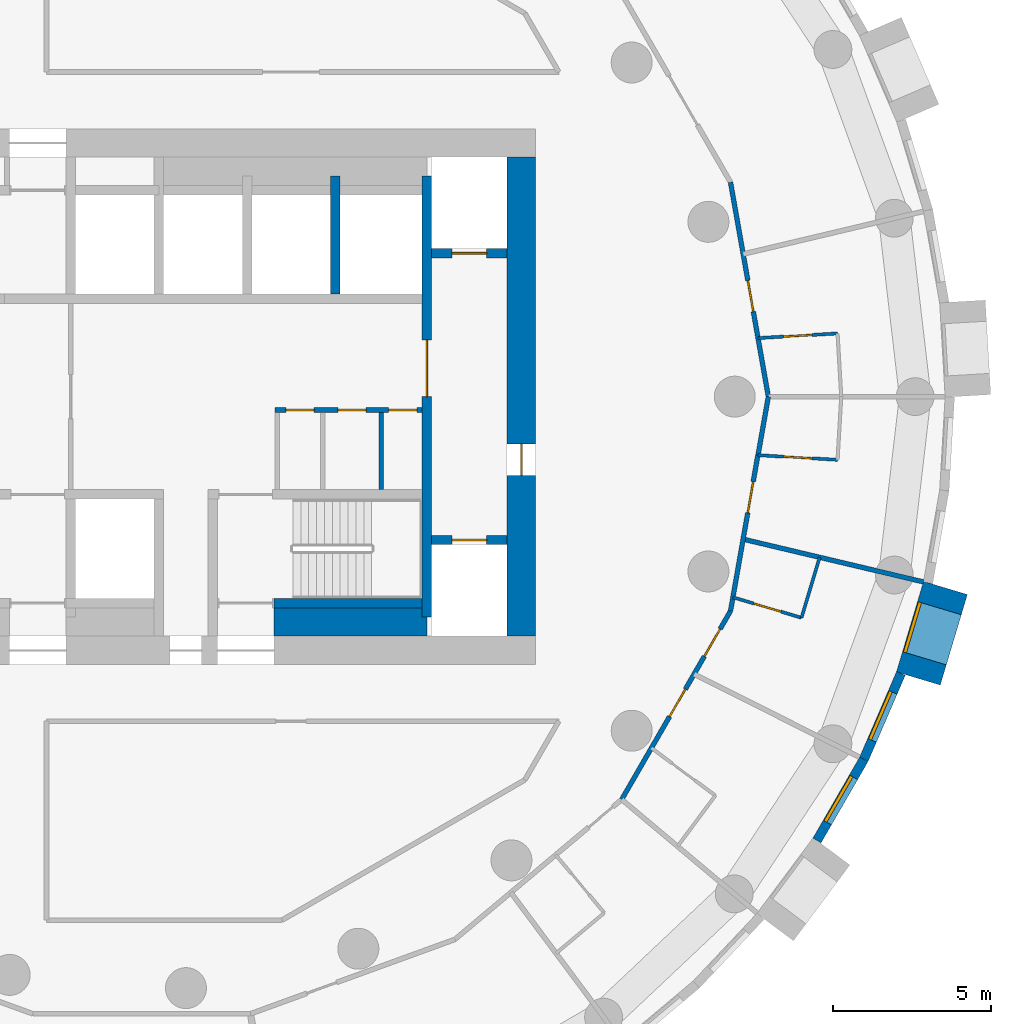
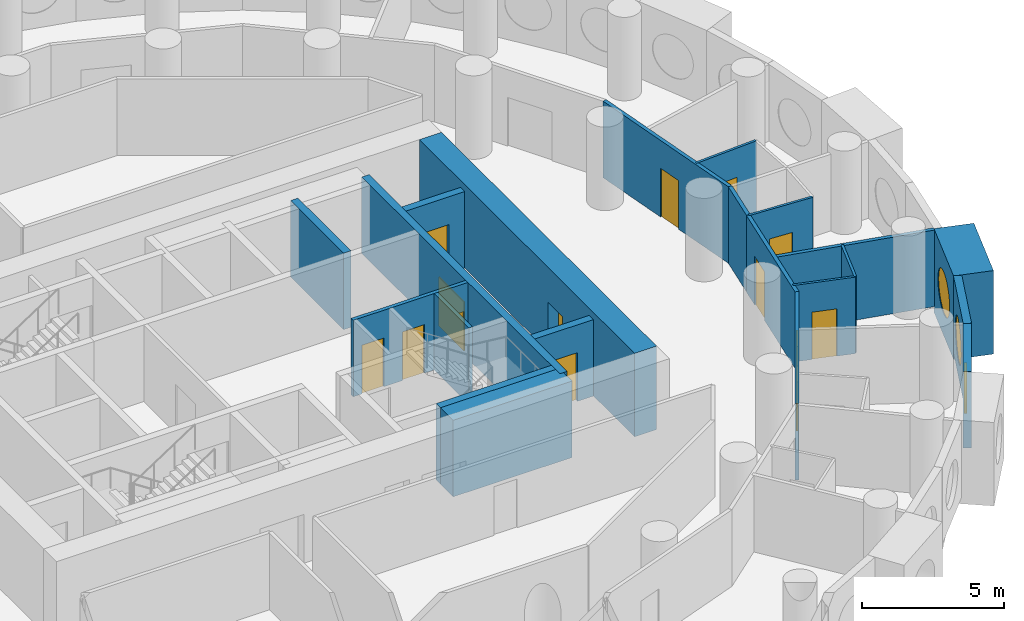
# One storey, part 5 of 9: 21 walls, 14 doors, 3 windows, 17 openings.
"""IFC4 building model written with IfcOpenShell, lengths in metres."""

from ifc_helpers import new_model, si_unit, direction, frame, frame_2d, origin, origin_2d, place, context, subcontext, project, spatial, rectangle, circle, extrude, material, layer, layer_set, type_object, element, fill, save


model = new_model("IFC4")

# Units and contexts
model_context = context("Model", 3, precision=1e-05, world=origin(), true_north=direction((0.0, 1.0)))
body_context = subcontext(model_context, "Body", "Model", "MODEL_VIEW")
ifc_project = project(units=[si_unit("LENGTHUNIT", "METRE"), si_unit("AREAUNIT", "SQUARE_METRE"), si_unit("VOLUMEUNIT", "CUBIC_METRE"), si_unit("PLANEANGLEUNIT", "RADIAN"), si_unit("MASSUNIT", "GRAM", prefix="KILO")], contexts=[model_context])

# Site, building, storey
site_placement = place(None, origin())
site = spatial("IfcSite", under=ifc_project, at=site_placement, CompositionType="ELEMENT")
building_placement = place(site_placement, origin())
building = spatial("IfcBuilding", under=site, at=building_placement, Name="Tracery Tower", CompositionType="ELEMENT")
storey_placement = place(building_placement, frame((0.0, 0.0, 198.0)))
storey = spatial("IfcBuildingStorey", under=building, at=storey_placement, Name="L51", CompositionType="ELEMENT", Elevation=198.0)

# Wall, openings, doors
ifc_material_1 = material(Name="Plasterboard on steel studs", Category="steel")
ifc_layer_1 = layer(ifc_material_1, 0.14990234375)
ifc_layer_set_1 = layer_set([ifc_layer_1], Name="Core room partition 150")
wall_type_1 = type_object("IfcWallType", Name="Core room partition 150", PredefinedType="SOLIDWALL", material=ifc_layer_set_1)
wall_1_placement = place(storey_placement, frame((4.22509765625, -0.425048828125, 0.0), z_axis=(0.0, 0.0, 1.0), x_axis=(1.0, 0.0, 0.0)))
wall_1 = element("IfcWall", 1, at=wall_1_placement, inside=storey, type_object=wall_type_1, Name="L51 slot N", PredefinedType="SOLIDWALL", context=body_context, shape_type="SweptSolid", body=[
    extrude(rectangle(XDim=4.6748046875, YDim=0.14990234375, at=frame_2d((2.33740234375, 0.0))), origin(), (0.0, 0.0, 1.0), 3.300048828125),
])
opening_1_placement = place(wall_1_placement, frame((0.35009765625, 0.0, 0.0)))
opening_1 = element("IfcOpeningElement", 2, at=opening_1_placement, cuts=wall_1, Name="Opening KD27", PredefinedType="OPENING", context=body_context, shape_type="SweptSolid", body=[
    extrude(rectangle(XDim=0.89990234375, YDim=2.10009765625, at=frame_2d((0.449951171875, 1.050048828125))), frame((0.0, 0.074951171875, 0.0), z_axis=(0.0, -1.0, 0.0), x_axis=(1.0, 0.0, 0.0)), (0.0, 0.0, 1.0), 0.14990234375),
])
opening_2_placement = place(wall_1_placement, frame((2.0, 0.0, 0.0)))
opening_2 = element("IfcOpeningElement", 3, at=opening_2_placement, cuts=wall_1, Name="Opening KD21", PredefinedType="OPENING", context=body_context, shape_type="SweptSolid", body=[
    extrude(rectangle(XDim=0.89990234375, YDim=2.10009765625, at=frame_2d((0.449951171875, 1.050048828125))), frame((0.0, 0.074951171875, 0.0), z_axis=(0.0, -1.0, 0.0), x_axis=(1.0, 0.0, 0.0)), (0.0, 0.0, 1.0), 0.14990234375),
])
opening_3_placement = place(wall_1_placement, frame((3.612548828125, 0.0, 0.0)))
opening_3 = element("IfcOpeningElement", 4, at=opening_3_placement, cuts=wall_1, Name="Opening KD32", PredefinedType="OPENING", context=body_context, shape_type="SweptSolid", body=[
    extrude(rectangle(XDim=0.89990234375, YDim=2.10009765625, at=frame_2d((0.449951171875, 1.050048828125))), frame((0.0, 0.074951171875, 0.0), z_axis=(0.0, -1.0, 0.0), x_axis=(1.0, 0.0, 0.0)), (0.0, 0.0, 1.0), 0.14990234375),
])
ifc_material_2 = material(Name="Timber door leaf", Category="wood")
door_type_1 = type_object("IfcDoorType", Name="Core WC door 900", OperationType="NOTDEFINED", PredefinedType="DOOR", material=ifc_material_2)
door_1_placement = place(opening_2_placement, origin())
door_1 = element("IfcDoor", 5, at=door_1_placement, inside=storey, type_object=door_type_1, Name="Core door", OperationType="SINGLE_SWING_LEFT", OverallHeight=2.10009765625, OverallWidth=0.89990234375, PredefinedType="DOOR", context=body_context, shape_type="SweptSolid", body=[
    extrude(rectangle(XDim=0.89990234375, YDim=2.10009765625, at=frame_2d((0.449951171875, 1.050048828125))), frame((0.0, 0.02490234375, 0.0), z_axis=(0.0, -1.0, 0.0), x_axis=(1.0, 0.0, 0.0)), (0.0, 0.0, 1.0), 0.050048828125),
])
fill(opening_2, door_1)
ifc_material_3 = material(Name="Steel fire door", Category="steel")
door_type_2 = type_object("IfcDoorType", Name="Core riser door 900", OperationType="NOTDEFINED", PredefinedType="DOOR", material=ifc_material_3)
door_2_placement = place(opening_3_placement, origin())
door_2 = element("IfcDoor", 6, at=door_2_placement, inside=storey, type_object=door_type_2, Name="Core door", OperationType="SINGLE_SWING_RIGHT", OverallHeight=2.10009765625, OverallWidth=0.89990234375, PredefinedType="DOOR", context=body_context, shape_type="SweptSolid", body=[
    extrude(rectangle(XDim=0.89990234375, YDim=2.10009765625, at=frame_2d((0.449951171875, 1.050048828125))), frame((0.0, 0.02490234375, 0.0), z_axis=(0.0, -1.0, 0.0), x_axis=(1.0, 0.0, 0.0)), (0.0, 0.0, 1.0), 0.050048828125),
])
fill(opening_3, door_2)
ifc_material_4 = material(Name="Timber door leaf", Category="wood")
door_type_3 = type_object("IfcDoorType", Name="Core store door 900", OperationType="NOTDEFINED", PredefinedType="DOOR", material=ifc_material_4)
door_3_placement = place(opening_1_placement, origin())
door_3 = element("IfcDoor", 7, at=door_3_placement, inside=storey, type_object=door_type_3, Name="Core door", OperationType="SINGLE_SWING_RIGHT", OverallHeight=2.10009765625, OverallWidth=0.89990234375, PredefinedType="DOOR", context=body_context, shape_type="SweptSolid", body=[
    extrude(rectangle(XDim=0.89990234375, YDim=2.10009765625, at=frame_2d((0.449951171875, 1.050048828125))), frame((0.0, 0.02490234375, 0.0), z_axis=(0.0, -1.0, 0.0), x_axis=(1.0, 0.0, 0.0)), (0.0, 0.0, 1.0), 0.050048828125),
])
fill(opening_1, door_3)

# Walls
wall_2_placement = place(storey_placement, frame((7.60009765625, -2.949951171875, 0.0), z_axis=(0.0, 0.0, 1.0), x_axis=(0.0, 1.0, 0.0)))
element("IfcWall", 8, at=wall_2_placement, inside=storey, type_object=wall_type_1, Name="L51 slot sep 2", PredefinedType="SOLIDWALL", context=body_context, shape_type="SweptSolid", body=[
    extrude(rectangle(XDim=2.449951171875, YDim=0.14990234375, at=frame_2d((1.22509765625, 0.0))), origin(), (0.0, 0.0, 1.0), 3.300048828125),
])
ifc_material_5 = material(Name="Concrete C50/60", Category="concrete")
ifc_layer_2 = layer(ifc_material_5, 0.89990234375)
ifc_layer_set_2 = layer_set([ifc_layer_2], Name="Core strip wall 900 C50")
wall_type_2 = type_object("IfcWallType", Name="Core strip wall 900 C50", PredefinedType="SOLIDWALL", material=ifc_layer_set_2)
wall_3_placement = place(storey_placement, frame((4.199951171875, -7.14990234375, 0.0), z_axis=(0.0, 0.0, 1.0), x_axis=(1.0, 0.0, 0.0)))
element("IfcWall", 9, at=wall_3_placement, inside=storey, type_object=wall_type_2, Name="L51 F thick S E", PredefinedType="SOLIDWALL", context=body_context, shape_type="SweptSolid", body=[
    extrude(rectangle(XDim=4.85009765625, YDim=0.89990234375, at=frame_2d((2.425048828125, 0.0))), origin(), (0.0, 0.0, 1.0), 3.300048828125),
])

# Wall, opening, door
ifc_material_6 = material(Name="Concrete C50/60", Category="concrete")
ifc_layer_3 = layer(ifc_material_6, 0.89990234375)
ifc_layer_set_3 = layer_set([ifc_layer_3], Name="Core wall 900 C50")
wall_type_3 = type_object("IfcWallType", Name="Core wall 900 C50", PredefinedType="SOLIDWALL", material=ifc_layer_set_3)
wall_4_placement = place(storey_placement, frame((12.050048828125, -7.60009765625, 0.0), z_axis=(0.0, 0.0, 1.0), x_axis=(0.0, 1.0, 0.0)))
wall_4 = element("IfcWall", 10, at=wall_4_placement, inside=storey, type_object=wall_type_3, Name="L51 outer E", PredefinedType="SOLIDWALL", context=body_context, shape_type="SweptSolid", body=[
    extrude(rectangle(XDim=15.2001953125, YDim=0.89990234375, at=frame_2d((7.60009765625, 0.0))), origin(), (0.0, 0.0, 1.0), 3.60009765625),
])
opening_4_placement = place(wall_4_placement, frame((5.10009765625, 0.0, 0.0)))
opening_4 = element("IfcOpeningElement", 11, at=opening_4_placement, cuts=wall_4, Name="Opening KD18", PredefinedType="OPENING", context=body_context, shape_type="SweptSolid", body=[
    extrude(rectangle(XDim=1.0, YDim=2.10009765625, at=frame_2d((0.5, 1.050048828125))), frame((0.0, 0.449951171875, 0.0), z_axis=(0.0, -1.0, 0.0), x_axis=(1.0, 0.0, 0.0)), (0.0, 0.0, 1.0), 0.89990234375),
])
ifc_material_7 = material(Name="Steel fire door", Category="steel")
door_type_4 = type_object("IfcDoorType", Name="Core exit door 1000", OperationType="NOTDEFINED", PredefinedType="DOOR", material=ifc_material_7)
door_4_placement = place(opening_4_placement, origin())
door_4 = element("IfcDoor", 12, at=door_4_placement, inside=storey, type_object=door_type_4, Name="Core exit door", OperationType="DOUBLE_DOOR_SINGLE_SWING", OverallHeight=2.10009765625, OverallWidth=1.0, PredefinedType="DOOR", context=body_context, shape_type="SweptSolid", body=[
    extrude(rectangle(XDim=1.0, YDim=2.10009765625, at=frame_2d((0.5, 1.050048828125))), frame((0.0, 0.02490234375, 0.0), z_axis=(0.0, -1.0, 0.0), x_axis=(1.0, 0.0, 0.0)), (0.0, 0.0, 1.0), 0.050048828125),
])
fill(opening_4, door_4)

# Wall, opening, window
ifc_material_8 = material(Name="Precast concrete C50/60", Category="concrete")
ifc_layer_4 = layer(ifc_material_8, 1.449951171875)
ifc_layer_set_4 = layer_set([ifc_layer_4], Name="Deep-set bay unit 3000 x 3600, slab edge 300")
wall_type_4 = type_object("IfcWallType", Name="Deep-set bay unit 3000 x 3600, slab edge 300", PredefinedType="ELEMENTEDWALL", material=ifc_layer_set_4)
wall_5_placement = place(storey_placement, frame((24.649169921875, -8.9453125, -0.300048828125), z_axis=(0.0, 0.0, 1.0), x_axis=(0.286780420304, 0.957996341606, 0.0)))
wall_5 = element("IfcWall", 13, at=wall_5_placement, inside=storey, type_object=wall_type_4, Name="Deep-set bay unit 52 at L51", PredefinedType="ELEMENTEDWALL", context=body_context, shape_type="SweptSolid", body=[
    extrude(rectangle(XDim=3.0, YDim=1.449951171875, at=frame_2d((1.5, 0.0))), origin(), (0.0, 0.0, 1.0), 3.60009765625),
])
opening_5_placement = place(wall_5_placement, frame((1.5, 0.0, 1.85009765625)))
opening_5 = element("IfcOpeningElement", 14, at=opening_5_placement, cuts=wall_5, Name="Opening WN1", PredefinedType="OPENING", context=body_context, shape_type="SweptSolid", body=[
    extrude(circle(Radius=0.9000244140625, at=origin_2d()), frame((0.0, 0.73486328125, 0.0), z_axis=(0.0, -1.0, 0.0), x_axis=(1.0, 0.0, 0.0)), (0.0, 0.0, 1.0), 1.469970703125),
])
ifc_material_9 = material(Name="Aluminium frame with tinted double glazing", Category="aluminium")
window_type = type_object("IfcWindowType", Name="Round window 1800", PartitioningType="SINGLE_PANEL", PredefinedType="WINDOW", material=ifc_material_9)
window_1_placement = place(opening_5_placement, origin())
window_1 = element("IfcWindow", 15, at=window_1_placement, inside=storey, type_object=window_type, Name="Round window 52 at L51", OverallHeight=1.800048828125, OverallWidth=1.800048828125, PartitioningType="SINGLE_PANEL", PredefinedType="WINDOW", context=body_context, shape_type="SweptSolid", body=[
    extrude(circle(Radius=0.9000244140625, at=origin_2d()), frame((0.0, 0.69482421875, 0.0), z_axis=(0.0, -1.0, 0.0), x_axis=(1.0, 0.0, 0.0)), (0.0, 0.0, 1.0), 0.10009765625),
])
fill(opening_5, window_1)

ifc_material_10 = material(Name="Precast concrete C50/60", Category="concrete")
ifc_layer_5 = layer(ifc_material_10, 0.300048828125)
ifc_layer_set_5 = layer_set([ifc_layer_5], Name="Facade panel 3000 x 3300")
wall_type_5 = type_object("IfcWallType", Name="Facade panel 3000 x 3300", PredefinedType="SOLIDWALL", material=ifc_layer_set_5)
wall_6_placement = place(storey_placement, frame((21.432861328125, -14.085205078125, 0.0), z_axis=(0.0, 0.0, 1.0), x_axis=(0.500016263033, 0.866016014115, 0.0)))
wall_6 = element("IfcWall", 16, at=wall_6_placement, inside=storey, type_object=wall_type_5, Name="Facade panel 50 at L51", PredefinedType="SOLIDWALL", context=body_context, shape_type="SweptSolid", body=[
    extrude(rectangle(XDim=2.97314453125, YDim=0.300048828125, at=frame_2d((1.486572265625, 0.0))), origin(), (0.0, 0.0, 1.0), 3.300048828125),
])
opening_6_placement = place(wall_6_placement, frame((1.486328125, 0.0, 1.5498046875)))
opening_6 = element("IfcOpeningElement", 17, at=opening_6_placement, cuts=wall_6, Name="Opening WN1", PredefinedType="OPENING", context=body_context, shape_type="SweptSolid", body=[
    extrude(circle(Radius=0.9000244140625, at=origin_2d()), frame((0.0, 0.159912109375, 0.0), z_axis=(0.0, -1.0, 0.0), x_axis=(1.0, 0.0, 0.0)), (0.0, 0.0, 1.0), 0.320068359375),
])
window_2_placement = place(opening_6_placement, origin())
window_2 = element("IfcWindow", 18, at=window_2_placement, inside=storey, type_object=window_type, Name="Round window 50 at L51", OverallHeight=1.800048828125, OverallWidth=1.800048828125, PartitioningType="SINGLE_PANEL", PredefinedType="WINDOW", context=body_context, shape_type="SweptSolid", body=[
    extrude(circle(Radius=0.9000244140625, at=origin_2d()), frame((0.0, 0.1201171875, 0.0), z_axis=(0.0, -1.0, 0.0), x_axis=(1.0, 0.0, 0.0)), (0.0, 0.0, 1.0), 0.10009765625),
])
fill(opening_6, window_2)

wall_7_placement = place(storey_placement, frame((22.91943359375, -11.510498046875, 0.0), z_axis=(0.0, 0.0, 1.0), x_axis=(0.396078892785, 0.918216483565, 0.0)))
wall_7 = element("IfcWall", 19, at=wall_7_placement, inside=storey, type_object=wall_type_5, Name="Facade panel 51 at L51", PredefinedType="SOLIDWALL", context=body_context, shape_type="SweptSolid", body=[
    extrude(rectangle(XDim=2.972900390625, YDim=0.300048828125, at=frame_2d((1.486328125, 0.0))), origin(), (0.0, 0.0, 1.0), 3.300048828125),
])
opening_7_placement = place(wall_7_placement, frame((1.486328125, 0.0, 1.5498046875)))
opening_7 = element("IfcOpeningElement", 20, at=opening_7_placement, cuts=wall_7, Name="Opening WN1", PredefinedType="OPENING", context=body_context, shape_type="SweptSolid", body=[
    extrude(circle(Radius=0.9000244140625, at=origin_2d()), frame((0.0, 0.159912109375, 0.0), z_axis=(0.0, -1.0, 0.0), x_axis=(1.0, 0.0, 0.0)), (0.0, 0.0, 1.0), 0.320068359375),
])
window_3_placement = place(opening_7_placement, origin())
window_3 = element("IfcWindow", 21, at=window_3_placement, inside=storey, type_object=window_type, Name="Round window 51 at L51", OverallHeight=1.800048828125, OverallWidth=1.800048828125, PartitioningType="SINGLE_PANEL", PredefinedType="WINDOW", context=body_context, shape_type="SweptSolid", body=[
    extrude(circle(Radius=0.9000244140625, at=origin_2d()), frame((0.0, 0.1201171875, 0.0), z_axis=(0.0, -1.0, 0.0), x_axis=(1.0, 0.0, 0.0)), (0.0, 0.0, 1.0), 0.10009765625),
])
fill(opening_7, window_3)

# Wall, opening, door
ifc_material_11 = material(Name="Plasterboard on steel studs", Category="steel")
ifc_layer_6 = layer(ifc_material_11, 0.10009765625)
ifc_layer_set_6 = layer_set([ifc_layer_6], Name="Partition 100 wet wall")
wall_type_6 = type_object("IfcWallType", Name="Partition 100 wet wall", PredefinedType="PARTITIONING", material=ifc_layer_set_6)
wall_8_placement = place(storey_placement, frame((19.56005859375, 1.85791015625, 0.0), z_axis=(0.0, 0.0, 1.0), x_axis=(0.998308830473, 0.05813328651, 0.0)))
wall_8 = element("IfcWall", 22, at=wall_8_placement, inside=storey, type_object=wall_type_6, Name="Wet wall RB7-041", PredefinedType="PARTITIONING", context=body_context, shape_type="SweptSolid", body=[
    extrude(rectangle(XDim=2.5283203125, YDim=0.10009765625, at=frame_2d((1.26416015625, 0.0))), origin(), (0.0, 0.0, 1.0), 3.300048828125),
])
opening_8_placement = place(wall_8_placement, frame((0.814208984375, 0.0, 0.0)))
opening_8 = element("IfcOpeningElement", 23, at=opening_8_placement, cuts=wall_8, Name="Opening RB7-05", PredefinedType="OPENING", context=body_context, shape_type="SweptSolid", body=[
    extrude(rectangle(XDim=0.89990234375, YDim=2.0400390625, at=frame_2d((0.449951171875, 1.02001953125))), frame((0.0, 0.050048828125, 0.0), z_axis=(0.0, -1.0, 0.0), x_axis=(1.0, 0.0, 0.0)), (0.0, 0.0, 1.0), 0.10009765625),
])
ifc_material_12 = material(Name="Timber door leaf", Category="wood")
door_type_5 = type_object("IfcDoorType", Name="Door en-suite 900", OperationType="NOTDEFINED", PredefinedType="DOOR", material=ifc_material_12)
door_5_placement = place(opening_8_placement, origin())
door_5 = element("IfcDoor", 24, at=door_5_placement, inside=storey, type_object=door_type_5, Name="En-suite door RB7-05", OperationType="SINGLE_SWING_LEFT", OverallHeight=2.0400390625, OverallWidth=0.89990234375, PredefinedType="DOOR", context=body_context, shape_type="SweptSolid", body=[
    extrude(rectangle(XDim=0.89990234375, YDim=2.0400390625, at=frame_2d((0.449951171875, 1.02001953125))), frame((0.0, 0.02490234375, 0.0), z_axis=(0.0, -1.0, 0.0), x_axis=(1.0, 0.0, 0.0)), (0.0, 0.0, 1.0), 0.050048828125),
])
fill(opening_8, door_5)

wall_9_placement = place(storey_placement, frame((18.764892578125, -6.366943359375, 0.0), z_axis=(0.0, 0.0, 1.0), x_axis=(0.958030169919, -0.286667391807, 0.0)))
wall_9 = element("IfcWall", 25, at=wall_9_placement, inside=storey, type_object=wall_type_6, Name="Wet wall RB7-064", PredefinedType="PARTITIONING", context=body_context, shape_type="SweptSolid", body=[
    extrude(rectangle(XDim=2.271240234375, YDim=0.10009765625, at=frame_2d((1.1357421875, 0.0))), origin(), (0.0, 0.0, 1.0), 3.300048828125),
])
opening_9_placement = place(wall_9_placement, frame((0.68603515625, 0.0, 0.0)))
opening_9 = element("IfcOpeningElement", 26, at=opening_9_placement, cuts=wall_9, Name="Opening RB7-23", PredefinedType="OPENING", context=body_context, shape_type="SweptSolid", body=[
    extrude(rectangle(XDim=0.89990234375, YDim=2.0400390625, at=frame_2d((0.449951171875, 1.02001953125))), frame((0.0, 0.050048828125, 0.0), z_axis=(0.0, -1.0, 0.0), x_axis=(1.0, 0.0, 0.0)), (0.0, 0.0, 1.0), 0.10009765625),
])
door_6_placement = place(opening_9_placement, origin())
door_6 = element("IfcDoor", 27, at=door_6_placement, inside=storey, type_object=door_type_5, Name="En-suite door RB7-23", OperationType="SINGLE_SWING_RIGHT", OverallHeight=2.0400390625, OverallWidth=0.89990234375, PredefinedType="DOOR", context=body_context, shape_type="SweptSolid", body=[
    extrude(rectangle(XDim=0.89990234375, YDim=2.0400390625, at=frame_2d((0.449951171875, 1.02001953125))), frame((0.0, 0.02490234375, 0.0), z_axis=(0.0, -1.0, 0.0), x_axis=(1.0, 0.0, 0.0)), (0.0, 0.0, 1.0), 0.050048828125),
])
fill(opening_9, door_6)

# Wall
wall_10_placement = place(storey_placement, frame((20.94091796875, -7.01806640625, 0.0), z_axis=(0.0, 0.0, 1.0), x_axis=(0.287124264191, 0.957893343182, 0.0)))
element("IfcWall", 28, at=wall_10_placement, inside=storey, type_object=wall_type_6, Name="Wet wall RB7-065", PredefinedType="PARTITIONING", context=body_context, shape_type="SweptSolid", body=[
    extrude(rectangle(XDim=2.00341796875, YDim=0.10009765625, at=frame_2d((1.001708984375, 0.0))), origin(), (0.0, 0.0, 1.0), 3.300048828125),
])

# Wall, opening, door
wall_11_placement = place(storey_placement, frame((19.56005859375, -1.85791015625, 0.0), z_axis=(0.0, 0.0, 1.0), x_axis=(0.998308830473, -0.05813328651, 0.0)))
wall_11 = element("IfcWall", 29, at=wall_11_placement, inside=storey, type_object=wall_type_6, Name="Wet wall RB7-067", PredefinedType="PARTITIONING", context=body_context, shape_type="SweptSolid", body=[
    extrude(rectangle(XDim=2.5283203125, YDim=0.10009765625, at=frame_2d((1.26416015625, 0.0))), origin(), (0.0, 0.0, 1.0), 3.300048828125),
])
opening_10_placement = place(wall_11_placement, frame((0.81396484375, 0.0, 0.0)))
opening_10 = element("IfcOpeningElement", 30, at=opening_10_placement, cuts=wall_11, Name="Opening RB7-25", PredefinedType="OPENING", context=body_context, shape_type="SweptSolid", body=[
    extrude(rectangle(XDim=0.89990234375, YDim=2.0400390625, at=frame_2d((0.449951171875, 1.02001953125))), frame((0.0, 0.050048828125, 0.0), z_axis=(0.0, -1.0, 0.0), x_axis=(1.0, 0.0, 0.0)), (0.0, 0.0, 1.0), 0.10009765625),
])
door_7_placement = place(opening_10_placement, origin())
door_7 = element("IfcDoor", 31, at=door_7_placement, inside=storey, type_object=door_type_5, Name="En-suite door RB7-25", OperationType="SINGLE_SWING_LEFT", OverallHeight=2.0400390625, OverallWidth=0.89990234375, PredefinedType="DOOR", context=body_context, shape_type="SweptSolid", body=[
    extrude(rectangle(XDim=0.89990234375, YDim=2.0400390625, at=frame_2d((0.449951171875, 1.02001953125))), frame((0.0, 0.02490234375, 0.0), z_axis=(0.0, -1.0, 0.0), x_axis=(1.0, 0.0, 0.0)), (0.0, 0.0, 1.0), 0.050048828125),
])
fill(opening_10, door_7)

# Wall
ifc_material_13 = material(Name="Plasterboard on steel studs", Category="steel")
ifc_layer_7 = layer(ifc_material_13, 0.14990234375)
ifc_layer_set_7 = layer_set([ifc_layer_7], Name="Partition 150 acoustic unit wall")
wall_type_7 = type_object("IfcWallType", Name="Partition 150 acoustic unit wall", PredefinedType="PARTITIONING", material=ifc_layer_set_7)
wall_12_placement = place(storey_placement, frame((19.090087890625, -4.523681640625, 0.0), z_axis=(0.0, 0.0, 1.0), x_axis=(0.973024130834, -0.230703361082, 0.0)))
element("IfcWall", 32, at=wall_12_placement, inside=storey, type_object=wall_type_7, Name="Unit wall RB7-066", PredefinedType="PARTITIONING", context=body_context, shape_type="SweptSolid", body=[
    extrude(rectangle(XDim=5.878662109375, YDim=0.14990234375, at=frame_2d((2.939453125, 0.0))), origin(), (0.0, 0.0, 1.0), 3.300048828125),
])

# Wall, opening, door
ifc_material_14 = material(Name="Plasterboard on steel studs", Category="steel")
ifc_layer_8 = layer(ifc_material_14, 0.14990234375)
ifc_layer_set_8 = layer_set([ifc_layer_8], Name="Partition 150 corridor wall")
wall_type_8 = type_object("IfcWallType", Name="Partition 150 corridor wall", PredefinedType="PARTITIONING", material=ifc_layer_set_8)
wall_13_placement = place(storey_placement, frame((18.6875, 6.802001953125, 0.0), z_axis=(0.0, 0.0, 1.0), x_axis=(0.173831710537, -0.984775373581, 0.0)))
wall_13 = element("IfcWall", 33, at=wall_13_placement, inside=storey, type_object=wall_type_8, Name="Corridor wall RB7-007", PredefinedType="PARTITIONING", context=body_context, shape_type="SweptSolid", body=[
    extrude(rectangle(XDim=6.9072265625, YDim=0.14990234375, at=frame_2d((3.45361328125, 0.0))), origin(), (0.0, 0.0, 1.0), 3.300048828125),
])
opening_11_placement = place(wall_13_placement, frame((3.1669921875, 0.0, 0.0)))
opening_11 = element("IfcOpeningElement", 34, at=opening_11_placement, cuts=wall_13, Name="Opening RB7-06", PredefinedType="OPENING", context=body_context, shape_type="SweptSolid", body=[
    extrude(rectangle(XDim=1.0, YDim=2.10009765625, at=frame_2d((0.5, 1.050048828125))), frame((0.0, 0.074951171875, 0.0), z_axis=(0.0, -1.0, 0.0), x_axis=(1.0, 0.0, 0.0)), (0.0, 0.0, 1.0), 0.14990234375),
])
ifc_material_15 = material(Name="Timber door leaf", Category="wood")
door_type_6 = type_object("IfcDoorType", Name="Door unit entrance 1000", OperationType="NOTDEFINED", PredefinedType="DOOR", material=ifc_material_15)
door_8_placement = place(opening_11_placement, origin())
door_8 = element("IfcDoor", 35, at=door_8_placement, inside=storey, type_object=door_type_6, Name="Unit entrance door RB7-06", OperationType="SINGLE_SWING_RIGHT", OverallHeight=2.10009765625, OverallWidth=1.0, PredefinedType="DOOR", context=body_context, shape_type="SweptSolid", body=[
    extrude(rectangle(XDim=1.0, YDim=2.10009765625, at=frame_2d((0.5, 1.050048828125))), frame((0.0, 0.02490234375, 0.0), z_axis=(0.0, -1.0, 0.0), x_axis=(1.0, 0.0, 0.0)), (0.0, 0.0, 1.0), 0.050048828125),
])
fill(opening_11, door_8)

# Wall, openings, doors
wall_14_placement = place(storey_placement, frame((15.234619140625, -12.78369140625, 0.0), z_axis=(0.0, 0.0, 1.0), x_axis=(0.499982531118, 0.866035489213, 0.0)))
wall_14 = element("IfcWall", 36, at=wall_14_placement, inside=storey, type_object=wall_type_8, Name="Corridor wall RB7-011", PredefinedType="PARTITIONING", context=body_context, shape_type="SweptSolid", body=[
    extrude(rectangle(XDim=6.906982421875, YDim=0.14990234375, at=frame_2d((3.45361328125, 0.0))), origin(), (0.0, 0.0, 1.0), 3.300048828125),
])
opening_12_placement = place(wall_14_placement, frame((3.041015625, 0.0, 0.0)))
opening_12 = element("IfcOpeningElement", 37, at=opening_12_placement, cuts=wall_14, Name="Opening RB7-22", PredefinedType="OPENING", context=body_context, shape_type="SweptSolid", body=[
    extrude(rectangle(XDim=1.0, YDim=2.10009765625, at=frame_2d((0.5, 1.050048828125))), frame((0.0, 0.074951171875, 0.0), z_axis=(0.0, -1.0, 0.0), x_axis=(1.0, 0.0, 0.0)), (0.0, 0.0, 1.0), 0.14990234375),
])
opening_13_placement = place(wall_14_placement, frame((5.2490234375, 0.0, 0.0)))
opening_13 = element("IfcOpeningElement", 38, at=opening_13_placement, cuts=wall_14, Name="Opening RB7-24", PredefinedType="OPENING", context=body_context, shape_type="SweptSolid", body=[
    extrude(rectangle(XDim=1.0, YDim=2.10009765625, at=frame_2d((0.5, 1.050048828125))), frame((0.0, 0.074951171875, 0.0), z_axis=(0.0, -1.0, 0.0), x_axis=(1.0, 0.0, 0.0)), (0.0, 0.0, 1.0), 0.14990234375),
])
door_9_placement = place(opening_12_placement, origin())
door_9 = element("IfcDoor", 39, at=door_9_placement, inside=storey, type_object=door_type_6, Name="Unit entrance door RB7-22", OperationType="SINGLE_SWING_LEFT", OverallHeight=2.10009765625, OverallWidth=1.0, PredefinedType="DOOR", context=body_context, shape_type="SweptSolid", body=[
    extrude(rectangle(XDim=1.0, YDim=2.10009765625, at=frame_2d((0.5, 1.050048828125))), frame((0.0, 0.02490234375, 0.0), z_axis=(0.0, -1.0, 0.0), x_axis=(1.0, 0.0, 0.0)), (0.0, 0.0, 1.0), 0.050048828125),
])
fill(opening_12, door_9)
door_10_placement = place(opening_13_placement, origin())
door_10 = element("IfcDoor", 40, at=door_10_placement, inside=storey, type_object=door_type_6, Name="Unit entrance door RB7-24", OperationType="SINGLE_SWING_LEFT", OverallHeight=2.10009765625, OverallWidth=1.0, PredefinedType="DOOR", context=body_context, shape_type="SweptSolid", body=[
    extrude(rectangle(XDim=1.0, YDim=2.10009765625, at=frame_2d((0.5, 1.050048828125))), frame((0.0, 0.02490234375, 0.0), z_axis=(0.0, -1.0, 0.0), x_axis=(1.0, 0.0, 0.0)), (0.0, 0.0, 1.0), 0.050048828125),
])
fill(opening_13, door_10)

# Wall, opening, door
wall_15_placement = place(storey_placement, frame((18.68798828125, -6.802001953125, 0.0), z_axis=(0.0, 0.0, 1.0), x_axis=(0.172737452508, 0.9849679043, 0.0)))
wall_15 = element("IfcWall", 41, at=wall_15_placement, inside=storey, type_object=wall_type_8, Name="Corridor wall RB7-012", PredefinedType="PARTITIONING", context=body_context, shape_type="SweptSolid", body=[
    extrude(rectangle(XDim=5.0244140625, YDim=0.14990234375, at=frame_2d((2.51220703125, 0.0))), origin(), (0.0, 0.0, 1.0), 3.300048828125),
])
opening_14_placement = place(wall_15_placement, frame((3.16650390625, 0.0, 0.0)))
opening_14 = element("IfcOpeningElement", 42, at=opening_14_placement, cuts=wall_15, Name="Opening RB7-26", PredefinedType="OPENING", context=body_context, shape_type="SweptSolid", body=[
    extrude(rectangle(XDim=1.0, YDim=2.10009765625, at=frame_2d((0.5, 1.050048828125))), frame((0.0, 0.074951171875, 0.0), z_axis=(0.0, -1.0, 0.0), x_axis=(1.0, 0.0, 0.0)), (0.0, 0.0, 1.0), 0.14990234375),
])
door_11_placement = place(opening_14_placement, origin())
door_11 = element("IfcDoor", 43, at=door_11_placement, inside=storey, type_object=door_type_6, Name="Unit entrance door RB7-26", OperationType="SINGLE_SWING_RIGHT", OverallHeight=2.10009765625, OverallWidth=1.0, PredefinedType="DOOR", context=body_context, shape_type="SweptSolid", body=[
    extrude(rectangle(XDim=1.0, YDim=2.10009765625, at=frame_2d((0.5, 1.050048828125))), frame((0.0, 0.02490234375, 0.0), z_axis=(0.0, -1.0, 0.0), x_axis=(1.0, 0.0, 0.0)), (0.0, 0.0, 1.0), 0.050048828125),
])
fill(opening_14, door_11)

# Walls
wall_16_placement = place(storey_placement, frame((19.56005859375, -1.862060546875, 0.0), z_axis=(0.0, 0.0, 1.0), x_axis=(0.173417007661, 0.984848486547, 0.0)))
element("IfcWall", 44, at=wall_16_placement, inside=storey, type_object=wall_type_8, Name="Corridor wall RB7-013", PredefinedType="PARTITIONING", context=body_context, shape_type="SweptSolid", body=[
    extrude(rectangle(XDim=1.890625, YDim=0.14990234375, at=frame_2d((0.9453125, 0.0))), origin(), (0.0, 0.0, 1.0), 3.300048828125),
])
ifc_material_16 = material(Name="Concrete C50/60", Category="concrete")
ifc_layer_9 = layer(ifc_material_16, 0.300048828125)
ifc_layer_set_9 = layer_set([ifc_layer_9], Name="Shaft wall 300 C50")
wall_type_9 = type_object("IfcWallType", Name="Shaft wall 300 C50", PredefinedType="SOLIDWALL", material=ifc_layer_set_9)
wall_17_placement = place(storey_placement, frame((6.14990234375, 3.25, 0.0), z_axis=(0.0, 0.0, 1.0), x_axis=(0.0, 1.0, 0.0)))
element("IfcWall", 45, at=wall_17_placement, inside=storey, type_object=wall_type_9, Name="L51 HR sep 3", PredefinedType="SOLIDWALL", context=body_context, shape_type="SweptSolid", body=[
    extrude(rectangle(XDim=3.75, YDim=0.300048828125, at=frame_2d((1.875, 0.0))), origin(), (0.0, 0.0, 1.0), 3.300048828125),
])

# Wall, opening, door
wall_18_placement = place(storey_placement, frame((9.199951171875, -4.550048828125, 0.0), z_axis=(0.0, 0.0, 1.0), x_axis=(1.0, 0.0, 0.0)))
wall_18 = element("IfcWall", 46, at=wall_18_placement, inside=storey, type_object=wall_type_9, Name="L51 MR E -4.55", PredefinedType="SOLIDWALL", context=body_context, shape_type="SweptSolid", body=[
    extrude(rectangle(XDim=2.400146484375, YDim=0.300048828125, at=frame_2d((1.2001953125, 0.0))), origin(), (0.0, 0.0, 1.0), 3.300048828125),
])
opening_15_placement = place(wall_18_placement, frame((0.64990234375, 0.0, 0.0)))
opening_15 = element("IfcOpeningElement", 47, at=opening_15_placement, cuts=wall_18, Name="Opening KD50", PredefinedType="OPENING", context=body_context, shape_type="SweptSolid", body=[
    extrude(rectangle(XDim=1.10009765625, YDim=2.10009765625, at=frame_2d((0.550048828125, 1.050048828125))), frame((0.0, 0.14990234375, 0.0), z_axis=(0.0, -1.0, 0.0), x_axis=(1.0, 0.0, 0.0)), (0.0, 0.0, 1.0), 0.300048828125),
])
ifc_material_17 = material(Name="Steel fire door", Category="steel")
door_type_7 = type_object("IfcDoorType", Name="Landing door 1100", OperationType="NOTDEFINED", PredefinedType="DOOR", material=ifc_material_17)
door_12_placement = place(opening_15_placement, origin())
door_12 = element("IfcDoor", 48, at=door_12_placement, inside=storey, type_object=door_type_7, Name="Landing door MR3", OperationType="SLIDING_TO_RIGHT", OverallHeight=2.10009765625, OverallWidth=1.10009765625, PredefinedType="DOOR", context=body_context, shape_type="SweptSolid", body=[
    extrude(rectangle(XDim=1.10009765625, YDim=2.10009765625, at=frame_2d((0.550048828125, 1.050048828125))), frame((0.0, 0.02490234375, 0.0), z_axis=(0.0, -1.0, 0.0), x_axis=(1.0, 0.0, 0.0)), (0.0, 0.0, 1.0), 0.050048828125),
])
fill(opening_15, door_12)

wall_19_placement = place(storey_placement, frame((9.199951171875, 4.550048828125, 0.0), z_axis=(0.0, 0.0, 1.0), x_axis=(1.0, 0.0, 0.0)))
wall_19 = element("IfcWall", 49, at=wall_19_placement, inside=storey, type_object=wall_type_9, Name="L51 MR E +4.55", PredefinedType="SOLIDWALL", context=body_context, shape_type="SweptSolid", body=[
    extrude(rectangle(XDim=2.400146484375, YDim=0.300048828125, at=frame_2d((1.2001953125, 0.0))), origin(), (0.0, 0.0, 1.0), 3.300048828125),
])
opening_16_placement = place(wall_19_placement, frame((0.64990234375, 0.0, 0.0)))
opening_16 = element("IfcOpeningElement", 50, at=opening_16_placement, cuts=wall_19, Name="Opening KD49", PredefinedType="OPENING", context=body_context, shape_type="SweptSolid", body=[
    extrude(rectangle(XDim=1.10009765625, YDim=2.10009765625, at=frame_2d((0.550048828125, 1.050048828125))), frame((0.0, 0.14990234375, 0.0), z_axis=(0.0, -1.0, 0.0), x_axis=(1.0, 0.0, 0.0)), (0.0, 0.0, 1.0), 0.300048828125),
])
door_13_placement = place(opening_16_placement, origin())
door_13 = element("IfcDoor", 51, at=door_13_placement, inside=storey, type_object=door_type_7, Name="Landing door MR4", OperationType="SLIDING_TO_LEFT", OverallHeight=2.10009765625, OverallWidth=1.10009765625, PredefinedType="DOOR", context=body_context, shape_type="SweptSolid", body=[
    extrude(rectangle(XDim=1.10009765625, YDim=2.10009765625, at=frame_2d((0.550048828125, 1.050048828125))), frame((0.0, 0.02490234375, 0.0), z_axis=(0.0, -1.0, 0.0), x_axis=(1.0, 0.0, 0.0)), (0.0, 0.0, 1.0), 0.050048828125),
])
fill(opening_16, door_13)

ifc_material_18 = material(Name="Concrete C50/60", Category="concrete")
ifc_layer_10 = layer(ifc_material_18, 0.300048828125)
ifc_layer_set_10 = layer_set([ifc_layer_10], Name="Stair wall 300 C50")
wall_type_10 = type_object("IfcWallType", Name="Stair wall 300 C50", PredefinedType="SOLIDWALL", material=ifc_layer_set_10)
wall_20_placement = place(storey_placement, frame((9.050048828125, -7.0, 0.0), z_axis=(0.0, 0.0, 1.0), x_axis=(0.0, 1.0, 0.0)))
wall_20 = element("IfcWall", 52, at=wall_20_placement, inside=storey, type_object=wall_type_10, Name="L51 F wall +9", PredefinedType="SOLIDWALL", context=body_context, shape_type="SweptSolid", body=[
    extrude(rectangle(XDim=14.0, YDim=0.300048828125, at=frame_2d((7.0, 0.0))), origin(), (0.0, 0.0, 1.0), 3.300048828125),
])
opening_17_placement = place(wall_20_placement, frame((7.0, 0.0, 0.0)))
opening_17 = element("IfcOpeningElement", 53, at=opening_17_placement, cuts=wall_20, Name="Opening KD13", PredefinedType="OPENING", context=body_context, shape_type="SweptSolid", body=[
    extrude(rectangle(XDim=1.800048828125, YDim=2.10009765625, at=frame_2d((0.89990234375, 1.050048828125))), frame((0.0, 0.14990234375, 0.0), z_axis=(0.0, -1.0, 0.0), x_axis=(1.0, 0.0, 0.0)), (0.0, 0.0, 1.0), 0.300048828125),
])
ifc_material_19 = material(Name="Steel fire door", Category="steel")
door_type_8 = type_object("IfcDoorType", Name="Core exit door 1800 double", OperationType="NOTDEFINED", PredefinedType="DOOR", material=ifc_material_19)
door_14_placement = place(opening_17_placement, origin())
door_14 = element("IfcDoor", 54, at=door_14_placement, inside=storey, type_object=door_type_8, Name="Core exit door", OperationType="DOUBLE_DOOR_SINGLE_SWING", OverallHeight=2.10009765625, OverallWidth=1.800048828125, PredefinedType="DOOR", context=body_context, shape_type="SweptSolid", body=[
    extrude(rectangle(XDim=1.800048828125, YDim=2.10009765625, at=frame_2d((0.89990234375, 1.050048828125))), frame((0.0, 0.02490234375, 0.0), z_axis=(0.0, -1.0, 0.0), x_axis=(1.0, 0.0, 0.0)), (0.0, 0.0, 1.0), 0.050048828125),
])
fill(opening_17, door_14)

# Wall
wall_21_placement = place(storey_placement, frame((4.199951171875, -6.550048828125, 0.0), z_axis=(0.0, 0.0, 1.0), x_axis=(1.0, 0.0, 0.0)))
element("IfcWall", 55, at=wall_21_placement, inside=storey, type_object=wall_type_10, Name="L51 F stair strip S E", PredefinedType="SOLIDWALL", context=body_context, shape_type="SweptSolid", body=[
    extrude(rectangle(XDim=4.699951171875, YDim=0.300048828125, at=frame_2d((2.35009765625, 0.0))), origin(), (0.0, 0.0, 1.0), 3.300048828125),
])

save(model, "model.ifc")
